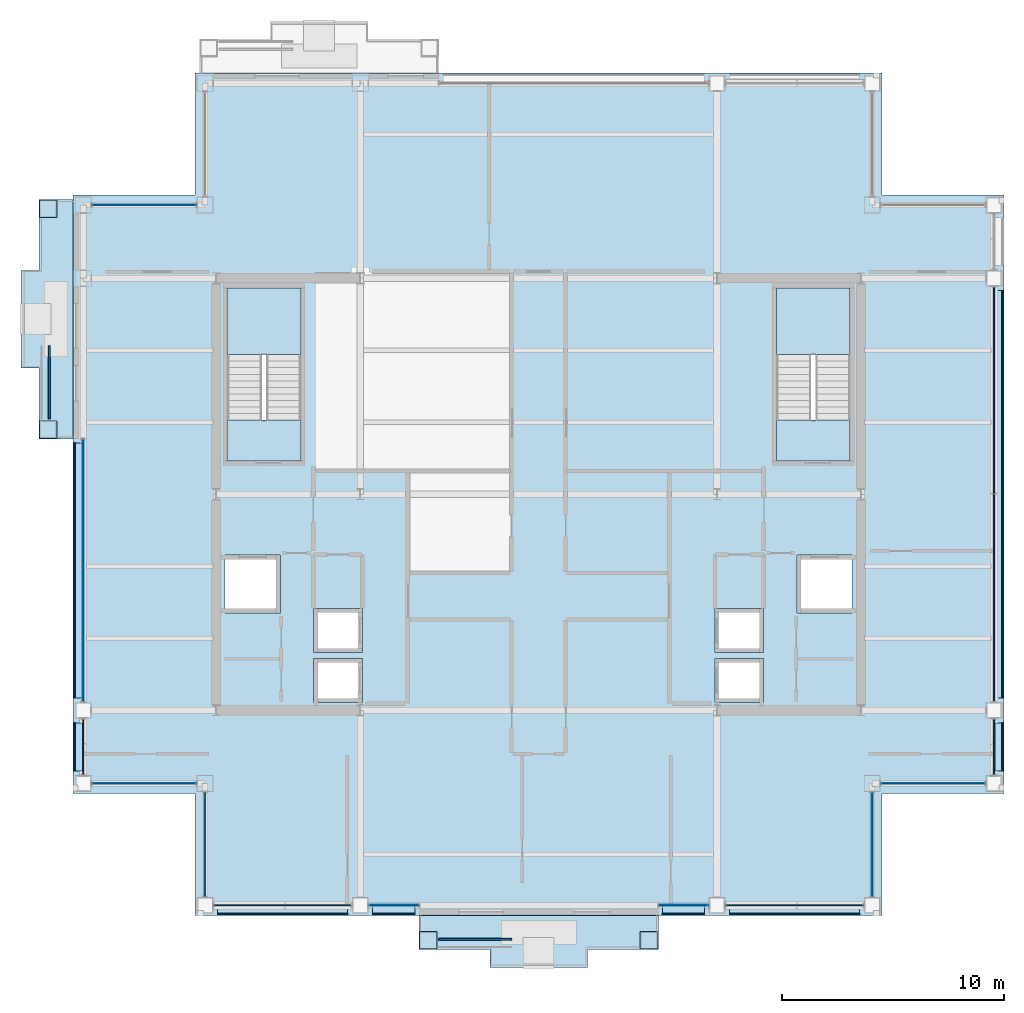
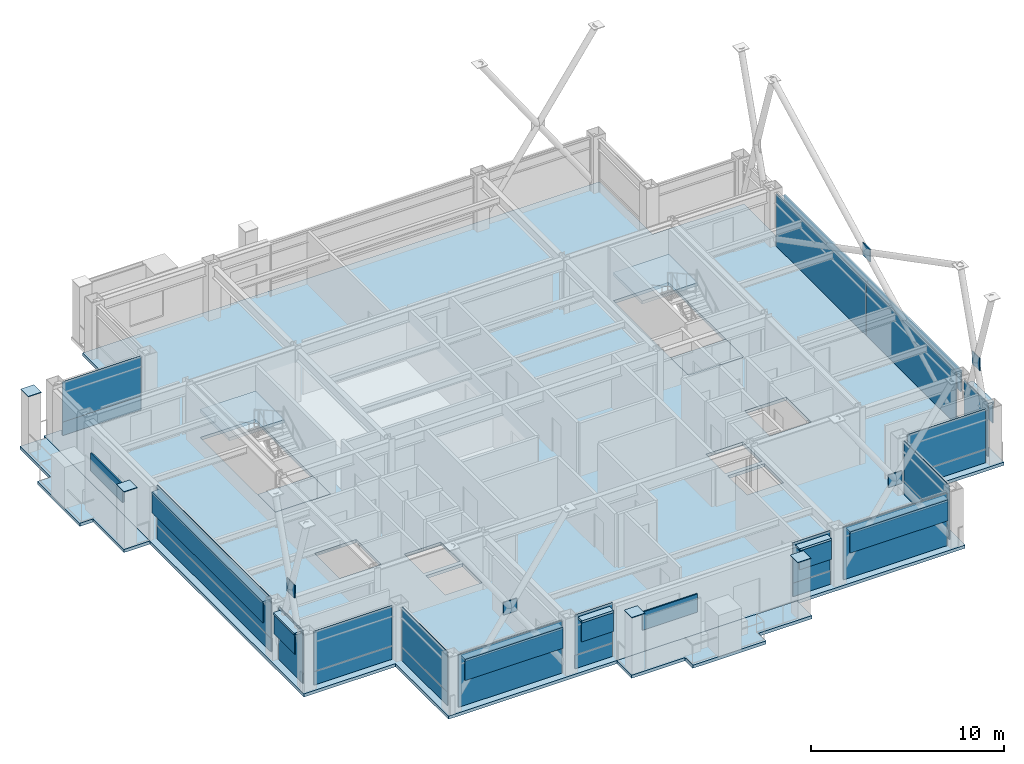
# One storey, part 25 of 32: 49 plates, 7 slabs, 15 elements without a shape of their own.
"""IFC4 building model written with IfcOpenShell, lengths in metres."""

from ifc_helpers import new_model, si_unit, direction, frame, origin, origin_2d, place, context, subcontext, project, spatial, polyline, rectangle, outline, extrude, material, layer, layer_set, type_object, element, aggregate, save


model = new_model("IFC4")

# Units and contexts
model_context = context("Model", 3, precision=1e-05, world=origin(), true_north=direction((0.0, 1.0)))
body_context = subcontext(model_context, "Body", "Model", "MODEL_VIEW")
ifc_project = project(units=[si_unit("LENGTHUNIT", "METRE"), si_unit("AREAUNIT", "SQUARE_METRE"), si_unit("VOLUMEUNIT", "CUBIC_METRE"), si_unit("PLANEANGLEUNIT", "RADIAN"), si_unit("MASSUNIT", "GRAM", prefix="KILO")], contexts=[model_context])

# Site, building, storey
site_placement = place(None, origin())
site = spatial("IfcSite", under=ifc_project, at=site_placement, CompositionType="ELEMENT")
building_placement = place(site_placement, origin())
building = spatial("IfcBuilding", under=site, at=building_placement, Name="Brelmoor Portico Tower", CompositionType="ELEMENT")
storey_placement = place(building_placement, frame((0.0, 0.0, 162.300048828125)))
storey = spatial("IfcBuildingStorey", under=building, at=storey_placement, Name="L42", CompositionType="ELEMENT", Elevation=162.300048828125)

# Plates
ifc_material_1 = material(Name="Steel Q355B", Category="steel")
ifc_layer_1 = layer(ifc_material_1, 0.044921875)
ifc_layer_set_1 = layer_set([ifc_layer_1], Name="Steel Q355B")
plate_type_1 = type_object("IfcPlateType", Name="PT-CAP-650", PredefinedType="SHEET", material=ifc_layer_set_1)
for number, where, z_axis, x_axis, name in (
    (1, (-4.97998046875, -20.1298828125, 3.599853515625), (0.0, 0.0, 1.0), (1.0, 0.0, 0.0), "L42 Proud Picture-Frame Pier PFJ-S1 Welded Head Cap Plate"),
    (2, (4.97998046875, -20.1298828125, 3.599853515625), (0.0, 0.0, 1.0), (1.0, 0.0, 0.0), "L42 Proud Picture-Frame Pier PFJ-S2 Welded Head Cap Plate"),
    (3, (-22.1298828125, 2.919921875, 3.599853515625), (0.0, 0.0, 1.0), (0.0, 1.0, 0.0), "L42 Proud Picture-Frame Pier PFJ-W1 Welded Head Cap Plate"),
    (4, (-22.1298828125, 12.8798828125, 3.599853515625), (0.0, 0.0, 1.0), (0.0, 1.0, 0.0), "L42 Proud Picture-Frame Pier PFJ-W2 Welded Head Cap Plate"),
):
    element("IfcPlate", number, at=place(storey_placement, frame(where, z_axis=z_axis, x_axis=x_axis)), inside=storey, type_object=plate_type_1, Name=name, PredefinedType="SHEET", context=body_context, shape_type="SweptSolid", body=[
        extrude(rectangle(XDim=0.7900390625, YDim=0.7900390625, at=origin_2d()), origin(), (0.0, 0.0, 1.0), 0.0400390625),
    ])

# Curtain wall, plate
ifc_material_2 = material(Name="Anodised Aluminium Alloy 6063-T6", Category="aluminium")
ifc_layer_2 = layer(ifc_material_2, 0.179931640625)
ifc_layer_set_2 = layer_set([ifc_layer_2], Name="Anodised Aluminium Alloy 6063-T6")
curtain_wall_type_1 = type_object("IfcCurtainWallType", Name="CW-TOWER-Z3", PredefinedType="NOTDEFINED", material=ifc_layer_set_2)
curtain_wall_1_placement = place(storey_placement, origin())
curtain_wall_1 = element("IfcCurtainWall", 5, at=curtain_wall_1_placement, inside=storey, type_object=curtain_wall_type_1, Name="L42 Curtain Wall CW-L42-1L-2", PredefinedType="NOTDEFINED")
ifc_material_3 = material(Name="Double-Silver Low-E Insulated Glazing", Category="glass")
ifc_layer_3 = layer(ifc_material_3, 0.035888671875)
ifc_layer_set_3 = layer_set([ifc_layer_3], Name="Double-Silver Low-E Insulated Glazing")
plate_type_2 = type_object("IfcPlateType", Name="PT-CW-GLASS", PredefinedType="CURTAIN_PANEL", material=ifc_layer_set_3)
plate_1_placement = place(storey_placement, frame((-6.532470703125, -18.550048828125, 0.85009765625), z_axis=(0.0, 0.0, 1.0), x_axis=(1.0, 0.0, 0.0)))
plate_1 = element("IfcPlate", 6, at=plate_1_placement, type_object=plate_type_2, Name="CW-L42-1L-2 Vision Glass Panel 00", PredefinedType="CURTAIN_PANEL", context=body_context, shape_type="SweptSolid", body=[
    extrude(rectangle(XDim=2.235107421875, YDim=0.035888671875, at=origin_2d()), origin(), (0.0, 0.0, 1.0), 2.550048828125),
])

curtain_wall_2_placement = place(storey_placement, origin())
curtain_wall_2 = element("IfcCurtainWall", 7, at=curtain_wall_2_placement, inside=storey, type_object=curtain_wall_type_1, Name="L42 Curtain Wall CW-L42-1R-1", PredefinedType="NOTDEFINED")
plate_2_placement = place(storey_placement, frame((6.532470703125, -18.550048828125, 0.85009765625), z_axis=(0.0, 0.0, 1.0), x_axis=(1.0, 0.0, 0.0)))
plate_2 = element("IfcPlate", 8, at=plate_2_placement, type_object=plate_type_2, Name="CW-L42-1R-1 Vision Glass Panel 00", PredefinedType="CURTAIN_PANEL", context=body_context, shape_type="SweptSolid", body=[
    extrude(rectangle(XDim=2.235107421875, YDim=0.035888671875, at=origin_2d()), origin(), (0.0, 0.0, 1.0), 2.550048828125),
])

curtain_wall_3_placement = place(storey_placement, origin())
curtain_wall_3 = element("IfcCurtainWall", 9, at=curtain_wall_3_placement, inside=storey, type_object=curtain_wall_type_1, Name="L42 Curtain Wall CW-L42-3L-2", PredefinedType="NOTDEFINED")
plate_3_placement = place(storey_placement, frame((-20.550048828125, -3.4326171875, 0.85009765625), z_axis=(0.0, 0.0, 1.0), x_axis=(0.0, 1.0, 0.0)))
plate_3 = element("IfcPlate", 10, at=plate_3_placement, type_object=plate_type_2, Name="CW-L42-3L-2 Vision Glass Panel 00", PredefinedType="CURTAIN_PANEL", context=body_context, shape_type="SweptSolid", body=[
    extrude(rectangle(XDim=11.8349609375, YDim=0.035888671875, at=origin_2d()), origin(), (0.0, 0.0, 1.0), 2.550048828125),
])

ifc_layer_4 = layer(ifc_material_2, 0.179931640625)
ifc_layer_set_4 = layer_set([ifc_layer_4], Name="Anodised Aluminium Alloy 6063-T6")
curtain_wall_type_2 = type_object("IfcCurtainWallType", Name="CW-NOTCH-CHAMFER", PredefinedType="NOTDEFINED", material=ifc_layer_set_4)
curtain_wall_4_placement = place(storey_placement, origin())
curtain_wall_4 = element("IfcCurtainWall", 11, at=curtain_wall_4_placement, inside=storey, type_object=curtain_wall_type_2, Name="L42 Curtain Wall CWN-L42-SWH", PredefinedType="NOTDEFINED")
plate_4_placement = place(storey_placement, frame((-17.800048828125, -13.050048828125, 0.85009765625), z_axis=(0.0, 0.0, 1.0), x_axis=(1.0, 0.0, 0.0)))
plate_4 = element("IfcPlate", 12, at=plate_4_placement, type_object=plate_type_2, Name="CWN-L42-SWH Vision Glass Panel 00", PredefinedType="CURTAIN_PANEL", context=body_context, shape_type="SweptSolid", body=[
    extrude(rectangle(XDim=4.699951171875, YDim=0.035888671875, at=origin_2d()), origin(), (0.0, 0.0, 1.0), 2.550048828125),
])

curtain_wall_5_placement = place(storey_placement, origin())
curtain_wall_5 = element("IfcCurtainWall", 13, at=curtain_wall_5_placement, inside=storey, type_object=curtain_wall_type_2, Name="L42 Curtain Wall CWN-L42-SWV", PredefinedType="NOTDEFINED")
plate_5_placement = place(storey_placement, frame((-15.050048828125, -15.800048828125, 0.85009765625), z_axis=(0.0, 0.0, 1.0), x_axis=(0.0, 1.0, 0.0)))
plate_5 = element("IfcPlate", 14, at=plate_5_placement, type_object=plate_type_2, Name="CWN-L42-SWV Vision Glass Panel 00", PredefinedType="CURTAIN_PANEL", context=body_context, shape_type="SweptSolid", body=[
    extrude(rectangle(XDim=4.699951171875, YDim=0.035888671875, at=origin_2d()), origin(), (0.0, 0.0, 1.0), 2.550048828125),
])

curtain_wall_6_placement = place(storey_placement, origin())
curtain_wall_6 = element("IfcCurtainWall", 15, at=curtain_wall_6_placement, inside=storey, type_object=curtain_wall_type_2, Name="L42 Curtain Wall CWN-L42-SEH", PredefinedType="NOTDEFINED")
plate_6_placement = place(storey_placement, frame((17.800048828125, -13.050048828125, 0.85009765625), z_axis=(0.0, 0.0, 1.0), x_axis=(1.0, 0.0, 0.0)))
plate_6 = element("IfcPlate", 16, at=plate_6_placement, type_object=plate_type_2, Name="CWN-L42-SEH Vision Glass Panel 00", PredefinedType="CURTAIN_PANEL", context=body_context, shape_type="SweptSolid", body=[
    extrude(rectangle(XDim=4.699951171875, YDim=0.035888671875, at=origin_2d()), origin(), (0.0, 0.0, 1.0), 2.550048828125),
])

curtain_wall_7_placement = place(storey_placement, origin())
curtain_wall_7 = element("IfcCurtainWall", 17, at=curtain_wall_7_placement, inside=storey, type_object=curtain_wall_type_2, Name="L42 Curtain Wall CWN-L42-SEV", PredefinedType="NOTDEFINED")
plate_7_placement = place(storey_placement, frame((15.050048828125, -15.800048828125, 0.85009765625), z_axis=(0.0, 0.0, 1.0), x_axis=(0.0, 1.0, 0.0)))
plate_7 = element("IfcPlate", 18, at=plate_7_placement, type_object=plate_type_2, Name="CWN-L42-SEV Vision Glass Panel 00", PredefinedType="CURTAIN_PANEL", context=body_context, shape_type="SweptSolid", body=[
    extrude(rectangle(XDim=4.699951171875, YDim=0.035888671875, at=origin_2d()), origin(), (0.0, 0.0, 1.0), 2.550048828125),
])

curtain_wall_8_placement = place(storey_placement, origin())
curtain_wall_8 = element("IfcCurtainWall", 19, at=curtain_wall_8_placement, inside=storey, type_object=curtain_wall_type_2, Name="L42 Curtain Wall CWN-L42-NWH", PredefinedType="NOTDEFINED")
plate_8_placement = place(storey_placement, frame((-17.800048828125, 13.050048828125, 0.85009765625), z_axis=(0.0, 0.0, 1.0), x_axis=(1.0, 0.0, 0.0)))
plate_8 = element("IfcPlate", 20, at=plate_8_placement, type_object=plate_type_2, Name="CWN-L42-NWH Vision Glass Panel 00", PredefinedType="CURTAIN_PANEL", context=body_context, shape_type="SweptSolid", body=[
    extrude(rectangle(XDim=4.699951171875, YDim=0.035888671875, at=origin_2d()), origin(), (0.0, 0.0, 1.0), 2.550048828125),
])

ifc_layer_5 = layer(ifc_material_2, 0.179931640625)
ifc_layer_set_5 = layer_set([ifc_layer_5], Name="Anodised Aluminium Alloy 6063-T6")
curtain_wall_type_3 = type_object("IfcCurtainWallType", Name="CW-TOWER-Z3-XB", PredefinedType="NOTDEFINED", material=ifc_layer_set_5)
curtain_wall_9_placement = place(storey_placement, origin())
curtain_wall_9 = element("IfcCurtainWall", 21, at=curtain_wall_9_placement, inside=storey, type_object=curtain_wall_type_3, Name="L42 Curtain Wall CW-L42-1L-1", PredefinedType="NOTDEFINED")
ifc_material_4 = material(Name="Pale Champagne Anodised Aluminium Panel", Category="aluminium")
ifc_layer_6 = layer(ifc_material_4, 0.050048828125)
ifc_layer_set_6 = layer_set([ifc_layer_6], Name="Pale Champagne Anodised Aluminium Panel")
plate_type_3 = type_object("IfcPlateType", Name="PT-CW-SPANDREL", PredefinedType="SHEET", material=ifc_layer_set_6)
plate_9_placement = place(storey_placement, frame((-11.550048828125, -18.550048828125, 0.0), z_axis=(0.0, 0.0, 1.0), x_axis=(1.0, 0.0, 0.0)))
plate_9 = element("IfcPlate", 22, at=plate_9_placement, type_object=plate_type_3, Name="CW-L42-1L-1 Spandrel Panel 00", PredefinedType="SHEET", context=body_context, shape_type="SweptSolid", body=[
    extrude(rectangle(XDim=6.199951171875, YDim=0.050048828125, at=origin_2d()), origin(), (0.0, 0.0, 1.0), 3.33740234375),
])
aggregate(curtain_wall_9, [plate_9])

# Plate
plate_10_placement = place(storey_placement, frame((-6.532470703125, -18.550048828125, 0.0), z_axis=(0.0, 0.0, 1.0), x_axis=(1.0, 0.0, 0.0)))
plate_10 = element("IfcPlate", 23, at=plate_10_placement, type_object=plate_type_3, Name="CW-L42-1L-2 Spandrel Panel 00", PredefinedType="SHEET", context=body_context, shape_type="SweptSolid", body=[
    extrude(rectangle(XDim=2.235107421875, YDim=0.050048828125, at=origin_2d()), origin(), (0.0, 0.0, 1.0), 0.85009765625),
])

aggregate(curtain_wall_1, [plate_10, plate_1])

plate_11_placement = place(storey_placement, frame((6.532470703125, -18.550048828125, 0.0), z_axis=(0.0, 0.0, 1.0), x_axis=(1.0, 0.0, 0.0)))
plate_11 = element("IfcPlate", 24, at=plate_11_placement, type_object=plate_type_3, Name="CW-L42-1R-1 Spandrel Panel 00", PredefinedType="SHEET", context=body_context, shape_type="SweptSolid", body=[
    extrude(rectangle(XDim=2.235107421875, YDim=0.050048828125, at=origin_2d()), origin(), (0.0, 0.0, 1.0), 0.85009765625),
])

aggregate(curtain_wall_2, [plate_11, plate_2])

# Curtain wall, plate
curtain_wall_10_placement = place(storey_placement, origin())
curtain_wall_10 = element("IfcCurtainWall", 25, at=curtain_wall_10_placement, inside=storey, type_object=curtain_wall_type_3, Name="L42 Curtain Wall CW-L42-1R-2", PredefinedType="NOTDEFINED")
plate_12_placement = place(storey_placement, frame((11.550048828125, -18.550048828125, 0.0), z_axis=(0.0, 0.0, 1.0), x_axis=(1.0, 0.0, 0.0)))
plate_12 = element("IfcPlate", 26, at=plate_12_placement, type_object=plate_type_3, Name="CW-L42-1R-2 Spandrel Panel 00", PredefinedType="SHEET", context=body_context, shape_type="SweptSolid", body=[
    extrude(rectangle(XDim=6.199951171875, YDim=0.050048828125, at=origin_2d()), origin(), (0.0, 0.0, 1.0), 3.33740234375),
])
aggregate(curtain_wall_10, [plate_12])

curtain_wall_11_placement = place(storey_placement, origin())
curtain_wall_11 = element("IfcCurtainWall", 27, at=curtain_wall_11_placement, inside=storey, type_object=curtain_wall_type_3, Name="L42 Curtain Wall CW-L42-3L-1", PredefinedType="NOTDEFINED")
plate_13_placement = place(storey_placement, frame((-20.550048828125, -11.39990234375, 0.0), z_axis=(0.0, 0.0, 1.0), x_axis=(0.0, 1.0, 0.0)))
plate_13 = element("IfcPlate", 28, at=plate_13_placement, type_object=plate_type_3, Name="CW-L42-3L-1 Spandrel Panel 00", PredefinedType="SHEET", context=body_context, shape_type="SweptSolid", body=[
    extrude(rectangle(XDim=2.5, YDim=0.050048828125, at=origin_2d()), origin(), (0.0, 0.0, 1.0), 3.33740234375),
])
aggregate(curtain_wall_11, [plate_13])

# Plate
plate_14_placement = place(storey_placement, frame((-20.550048828125, -3.4326171875, 0.0), z_axis=(0.0, 0.0, 1.0), x_axis=(0.0, 1.0, 0.0)))
plate_14 = element("IfcPlate", 29, at=plate_14_placement, type_object=plate_type_3, Name="CW-L42-3L-2 Spandrel Panel 00", PredefinedType="SHEET", context=body_context, shape_type="SweptSolid", body=[
    extrude(rectangle(XDim=11.8349609375, YDim=0.050048828125, at=origin_2d()), origin(), (0.0, 0.0, 1.0), 0.85009765625),
])

aggregate(curtain_wall_3, [plate_14, plate_3])

# Curtain wall, plate
curtain_wall_12_placement = place(storey_placement, origin())
curtain_wall_12 = element("IfcCurtainWall", 30, at=curtain_wall_12_placement, inside=storey, type_object=curtain_wall_type_3, Name="L42 Curtain Wall CW-L42-04-1", PredefinedType="NOTDEFINED")
plate_15_placement = place(storey_placement, frame((20.550048828125, -11.39990234375, 0.0), z_axis=(0.0, 0.0, 1.0), x_axis=(0.0, 1.0, 0.0)))
plate_15 = element("IfcPlate", 31, at=plate_15_placement, type_object=plate_type_3, Name="CW-L42-04-1 Spandrel Panel 00", PredefinedType="SHEET", context=body_context, shape_type="SweptSolid", body=[
    extrude(rectangle(XDim=2.5, YDim=0.050048828125, at=origin_2d()), origin(), (0.0, 0.0, 1.0), 3.33740234375),
])
aggregate(curtain_wall_12, [plate_15])

# Curtain wall, plates
curtain_wall_13_placement = place(storey_placement, origin())
curtain_wall_13 = element("IfcCurtainWall", 32, at=curtain_wall_13_placement, inside=storey, type_object=curtain_wall_type_3, Name="L42 Curtain Wall CW-L42-04-2", PredefinedType="NOTDEFINED")
plate_16_placement = place(storey_placement, frame((20.550048828125, -4.6826171875, 0.0), z_axis=(0.0, 0.0, 1.0), x_axis=(0.0, 1.0, 0.0)))
plate_16 = element("IfcPlate", 33, at=plate_16_placement, type_object=plate_type_3, Name="CW-L42-04-2 Spandrel Panel 00", PredefinedType="SHEET", context=body_context, shape_type="SweptSolid", body=[
    extrude(rectangle(XDim=9.3349609375, YDim=0.050048828125, at=origin_2d()), origin(), (0.0, 0.0, 1.0), 3.33740234375),
])
plate_17_placement = place(storey_placement, frame((20.550048828125, 4.6826171875, 0.0), z_axis=(0.0, 0.0, 1.0), x_axis=(0.0, 1.0, 0.0)))
plate_17 = element("IfcPlate", 34, at=plate_17_placement, type_object=plate_type_3, Name="CW-L42-04-2 Spandrel Panel 01", PredefinedType="SHEET", context=body_context, shape_type="SweptSolid", body=[
    extrude(rectangle(XDim=9.3349609375, YDim=0.050048828125, at=origin_2d()), origin(), (0.0, 0.0, 1.0), 3.33740234375),
])
aggregate(curtain_wall_13, [plate_16, plate_17])

# Plate
plate_18_placement = place(storey_placement, frame((-17.800048828125, -13.050048828125, 0.0), z_axis=(0.0, 0.0, 1.0), x_axis=(1.0, 0.0, 0.0)))
plate_18 = element("IfcPlate", 35, at=plate_18_placement, type_object=plate_type_3, Name="CWN-L42-SWH Spandrel Panel 00", PredefinedType="SHEET", context=body_context, shape_type="SweptSolid", body=[
    extrude(rectangle(XDim=4.699951171875, YDim=0.050048828125, at=origin_2d()), origin(), (0.0, 0.0, 1.0), 0.85009765625),
])

aggregate(curtain_wall_4, [plate_18, plate_4])

plate_19_placement = place(storey_placement, frame((-15.050048828125, -15.800048828125, 0.0), z_axis=(0.0, 0.0, 1.0), x_axis=(0.0, 1.0, 0.0)))
plate_19 = element("IfcPlate", 36, at=plate_19_placement, type_object=plate_type_3, Name="CWN-L42-SWV Spandrel Panel 00", PredefinedType="SHEET", context=body_context, shape_type="SweptSolid", body=[
    extrude(rectangle(XDim=4.699951171875, YDim=0.050048828125, at=origin_2d()), origin(), (0.0, 0.0, 1.0), 0.85009765625),
])

aggregate(curtain_wall_5, [plate_19, plate_5])

plate_20_placement = place(storey_placement, frame((17.800048828125, -13.050048828125, 0.0), z_axis=(0.0, 0.0, 1.0), x_axis=(1.0, 0.0, 0.0)))
plate_20 = element("IfcPlate", 37, at=plate_20_placement, type_object=plate_type_3, Name="CWN-L42-SEH Spandrel Panel 00", PredefinedType="SHEET", context=body_context, shape_type="SweptSolid", body=[
    extrude(rectangle(XDim=4.699951171875, YDim=0.050048828125, at=origin_2d()), origin(), (0.0, 0.0, 1.0), 0.85009765625),
])

aggregate(curtain_wall_6, [plate_20, plate_6])

plate_21_placement = place(storey_placement, frame((15.050048828125, -15.800048828125, 0.0), z_axis=(0.0, 0.0, 1.0), x_axis=(0.0, 1.0, 0.0)))
plate_21 = element("IfcPlate", 38, at=plate_21_placement, type_object=plate_type_3, Name="CWN-L42-SEV Spandrel Panel 00", PredefinedType="SHEET", context=body_context, shape_type="SweptSolid", body=[
    extrude(rectangle(XDim=4.699951171875, YDim=0.050048828125, at=origin_2d()), origin(), (0.0, 0.0, 1.0), 0.85009765625),
])

aggregate(curtain_wall_7, [plate_21, plate_7])

plate_22_placement = place(storey_placement, frame((-17.800048828125, 13.050048828125, 0.0), z_axis=(0.0, 0.0, 1.0), x_axis=(1.0, 0.0, 0.0)))
plate_22 = element("IfcPlate", 39, at=plate_22_placement, type_object=plate_type_3, Name="CWN-L42-NWH Spandrel Panel 00", PredefinedType="SHEET", context=body_context, shape_type="SweptSolid", body=[
    extrude(rectangle(XDim=4.699951171875, YDim=0.050048828125, at=origin_2d()), origin(), (0.0, 0.0, 1.0), 0.85009765625),
])

aggregate(curtain_wall_8, [plate_22, plate_8])

# Plates
ifc_layer_7 = layer(ifc_material_1, 0.050048828125)
ifc_layer_set_7 = layer_set([ifc_layer_7], Name="Steel Q355B")
plate_type_4 = type_object("IfcPlateType", Name="PT-GUSSET-800", PredefinedType="USERDEFINED", material=ifc_layer_set_7)
for number, where, z_axis, x_axis, name in (
    (40, (-11.550048828125, -18.550048828125, 4.89990234375), (0.0, 0.0, 1.0), (1.0, 0.0, 0.0), "L42 Perimeter Mega-Brace Gusset 091"),
    (41, (11.550048828125, -18.550048828125, 4.89990234375), (0.0, 0.0, 1.0), (1.0, 0.0, 0.0), "L42 Perimeter Mega-Brace Gusset 092"),
):
    element("IfcPlate", number, at=place(storey_placement, frame(where, z_axis=z_axis, x_axis=x_axis)), inside=storey, type_object=plate_type_4, Name=name, ObjectType="GUSSET PLATE", PredefinedType="USERDEFINED", context=body_context, shape_type="SweptSolid", body=[
        extrude(rectangle(XDim=0.800048828125, YDim=0.050048828125, at=origin_2d()), origin(), (0.0, 0.0, 1.0), 0.800048828125),
    ])
for number, where, z_axis, x_axis, name in (
    (42, (-20.550048828125, -11.39990234375, 4.89990234375), (0.0, 0.0, 1.0), (1.0, 0.0, 0.0), "L42 Perimeter Mega-Brace Gusset 094"),
    (43, (20.550048828125, -11.39990234375, 4.89990234375), (0.0, 0.0, 1.0), (1.0, 0.0, 0.0), "L42 Perimeter Mega-Brace Gusset 095"),
    (44, (20.550048828125, 0.0, 4.89990234375), (0.0, 0.0, 1.0), (1.0, 0.0, 0.0), "L42 Perimeter Mega-Brace Gusset 096"),
):
    element("IfcPlate", number, at=place(storey_placement, frame(where, z_axis=z_axis, x_axis=x_axis)), inside=storey, type_object=plate_type_4, Name=name, ObjectType="GUSSET PLATE", PredefinedType="USERDEFINED", context=body_context, shape_type="SweptSolid", body=[
        extrude(rectangle(XDim=0.050048828125, YDim=0.800048828125, at=origin_2d()), origin(), (0.0, 0.0, 1.0), 0.800048828125),
    ])
ifc_material_5 = material(Name="Powder-Coated Aluminium Shuttered Jalousie Louvre", Category="aluminium")
ifc_layer_8 = layer(ifc_material_5, 0.06005859375)
ifc_layer_set_8 = layer_set([ifc_layer_8], Name="Powder-Coated Aluminium Shuttered Jalousie Louvre")
plate_type_5 = type_object("IfcPlateType", Name="PT-JALOUSIE-SHUTTER", PredefinedType="SHEET", material=ifc_layer_set_8)
plate_23_placement = place(storey_placement, frame((-11.550048828125, -18.929931640625, 1.8740234375), z_axis=(0.0, 0.0, 1.0), x_axis=(1.0, 0.0, 0.0)))
element("IfcPlate", 45, at=plate_23_placement, inside=storey, type_object=plate_type_5, Name="CW-L42-1L-1 Perforated Jalousie Solar Screen", PredefinedType="SHEET", context=body_context, shape_type="SweptSolid", body=[
    extrude(rectangle(XDim=5.8701171875, YDim=0.06494140625, at=origin_2d()), origin(), (0.0, 0.0, 1.0), 1.325927734375),
])
for number, where, z_axis, x_axis, name in (
    (46, (-6.532470703125, -18.929931640625, 1.8740234375), (0.0, 0.0, 1.0), (1.0, 0.0, 0.0), "CW-L42-1L-2 Perforated Jalousie Solar Screen"),
    (47, (6.532470703125, -18.929931640625, 1.8740234375), (0.0, 0.0, 1.0), (1.0, 0.0, 0.0), "CW-L42-1R-1 Perforated Jalousie Solar Screen"),
):
    element("IfcPlate", number, at=place(storey_placement, frame(where, z_axis=z_axis, x_axis=x_axis)), inside=storey, type_object=plate_type_5, Name=name, PredefinedType="SHEET", context=body_context, shape_type="SweptSolid", body=[
        extrude(rectangle(XDim=1.905029296875, YDim=0.06494140625, at=origin_2d()), origin(), (0.0, 0.0, 1.0), 1.325927734375),
    ])
plate_24_placement = place(storey_placement, frame((11.550048828125, -18.929931640625, 1.8740234375), z_axis=(0.0, 0.0, 1.0), x_axis=(1.0, 0.0, 0.0)))
element("IfcPlate", 48, at=plate_24_placement, inside=storey, type_object=plate_type_5, Name="CW-L42-1R-2 Perforated Jalousie Solar Screen", PredefinedType="SHEET", context=body_context, shape_type="SweptSolid", body=[
    extrude(rectangle(XDim=5.8701171875, YDim=0.06494140625, at=origin_2d()), origin(), (0.0, 0.0, 1.0), 1.325927734375),
])
plate_25_placement = place(storey_placement, frame((-2.85009765625, -20.080078125, 2.27490234375), z_axis=(0.0, 0.0, 1.0), x_axis=(1.0, 0.0, 0.0)))
element("IfcPlate", 49, at=plate_25_placement, inside=storey, type_object=plate_type_5, Name="L42 Shuttered Veranda Screen S", PredefinedType="SHEET", context=body_context, shape_type="SweptSolid", body=[
    extrude(rectangle(XDim=3.300048828125, YDim=0.080078125, at=origin_2d()), origin(), (0.0, 0.0, 1.0), 1.14990234375),
])
plate_26_placement = place(storey_placement, frame((-20.929931640625, -11.39990234375, 1.8740234375), z_axis=(0.0, 0.0, 1.0), x_axis=(0.0, 1.0, 0.0)))
element("IfcPlate", 50, at=plate_26_placement, inside=storey, type_object=plate_type_5, Name="CW-L42-3L-1 Perforated Jalousie Solar Screen", PredefinedType="SHEET", context=body_context, shape_type="SweptSolid", body=[
    extrude(rectangle(XDim=2.169921875, YDim=0.06494140625, at=origin_2d()), origin(), (0.0, 0.0, 1.0), 1.325927734375),
])
plate_27_placement = place(storey_placement, frame((-20.929931640625, -3.4326171875, 1.8740234375), z_axis=(0.0, 0.0, 1.0), x_axis=(0.0, 1.0, 0.0)))
element("IfcPlate", 51, at=plate_27_placement, inside=storey, type_object=plate_type_5, Name="CW-L42-3L-2 Perforated Jalousie Solar Screen", PredefinedType="SHEET", context=body_context, shape_type="SweptSolid", body=[
    extrude(rectangle(XDim=11.5048828125, YDim=0.06494140625, at=origin_2d()), origin(), (0.0, 0.0, 1.0), 1.325927734375),
])
plate_28_placement = place(storey_placement, frame((-22.080078125, 5.050048828125, 2.27490234375), z_axis=(0.0, 0.0, 1.0), x_axis=(0.0, 1.0, 0.0)))
element("IfcPlate", 52, at=plate_28_placement, inside=storey, type_object=plate_type_5, Name="L42 Shuttered Veranda Screen W", PredefinedType="SHEET", context=body_context, shape_type="SweptSolid", body=[
    extrude(rectangle(XDim=3.300048828125, YDim=0.080078125, at=origin_2d()), origin(), (0.0, 0.0, 1.0), 1.14990234375),
])
plate_29_placement = place(storey_placement, frame((20.929931640625, -11.39990234375, 1.8740234375), z_axis=(0.0, 0.0, 1.0), x_axis=(0.0, 1.0, 0.0)))
element("IfcPlate", 53, at=plate_29_placement, inside=storey, type_object=plate_type_5, Name="CW-L42-04-1 Perforated Jalousie Solar Screen", PredefinedType="SHEET", context=body_context, shape_type="SweptSolid", body=[
    extrude(rectangle(XDim=2.169921875, YDim=0.06494140625, at=origin_2d()), origin(), (0.0, 0.0, 1.0), 1.325927734375),
])
plate_30_placement = place(storey_placement, frame((20.929931640625, 0.0, 1.8740234375), z_axis=(0.0, 0.0, 1.0), x_axis=(0.0, 1.0, 0.0)))
element("IfcPlate", 54, at=plate_30_placement, inside=storey, type_object=plate_type_5, Name="CW-L42-04-2 Perforated Jalousie Solar Screen", PredefinedType="SHEET", context=body_context, shape_type="SweptSolid", body=[
    extrude(rectangle(XDim=18.3701171875, YDim=0.06494140625, at=origin_2d()), origin(), (0.0, 0.0, 1.0), 1.325927734375),
])
ifc_material_6 = material(Name="Pale Champagne Perforated Aluminium Solar Screen", Category="aluminium")
ifc_layer_9 = layer(ifc_material_6, 0.054931640625)
ifc_layer_set_9 = layer_set([ifc_layer_9], Name="Pale Champagne Perforated Aluminium Solar Screen")
plate_type_6 = type_object("IfcPlateType", Name="PT-SOLAR-LOUVRE", PredefinedType="SHEET", material=ifc_layer_set_9)
plate_31_placement = place(storey_placement, frame((-11.550048828125, -18.760009765625, 3.08984375), z_axis=(0.0, 0.0, 1.0), x_axis=(1.0, 0.0, 0.0)))
element("IfcPlate", 55, at=plate_31_placement, inside=storey, type_object=plate_type_6, Name="CW-L42-1L-1 Caribbean Brise-Soleil Solar Screen", PredefinedType="SHEET", context=body_context, shape_type="SweptSolid", body=[
    extrude(rectangle(XDim=5.8701171875, YDim=0.4599609375, at=origin_2d()), origin(), (0.0, 0.0, 1.0), 0.139892578125),
])
for number, where, z_axis, x_axis, name in (
    (56, (-6.532470703125, -18.760009765625, 3.08984375), (0.0, 0.0, 1.0), (1.0, 0.0, 0.0), "CW-L42-1L-2 Caribbean Brise-Soleil Solar Screen"),
    (57, (6.532470703125, -18.760009765625, 3.08984375), (0.0, 0.0, 1.0), (1.0, 0.0, 0.0), "CW-L42-1R-1 Caribbean Brise-Soleil Solar Screen"),
):
    element("IfcPlate", number, at=place(storey_placement, frame(where, z_axis=z_axis, x_axis=x_axis)), inside=storey, type_object=plate_type_6, Name=name, PredefinedType="SHEET", context=body_context, shape_type="SweptSolid", body=[
        extrude(rectangle(XDim=1.905029296875, YDim=0.4599609375, at=origin_2d()), origin(), (0.0, 0.0, 1.0), 0.139892578125),
    ])
plate_32_placement = place(storey_placement, frame((11.550048828125, -18.760009765625, 3.08984375), z_axis=(0.0, 0.0, 1.0), x_axis=(1.0, 0.0, 0.0)))
element("IfcPlate", 58, at=plate_32_placement, inside=storey, type_object=plate_type_6, Name="CW-L42-1R-2 Caribbean Brise-Soleil Solar Screen", PredefinedType="SHEET", context=body_context, shape_type="SweptSolid", body=[
    extrude(rectangle(XDim=5.8701171875, YDim=0.4599609375, at=origin_2d()), origin(), (0.0, 0.0, 1.0), 0.139892578125),
])
plate_33_placement = place(storey_placement, frame((-20.760009765625, -11.39990234375, 3.08984375), z_axis=(0.0, 0.0, 1.0), x_axis=(0.0, 1.0, 0.0)))
element("IfcPlate", 59, at=plate_33_placement, inside=storey, type_object=plate_type_6, Name="CW-L42-3L-1 Caribbean Brise-Soleil Solar Screen", PredefinedType="SHEET", context=body_context, shape_type="SweptSolid", body=[
    extrude(rectangle(XDim=2.169921875, YDim=0.4599609375, at=origin_2d()), origin(), (0.0, 0.0, 1.0), 0.139892578125),
])
plate_34_placement = place(storey_placement, frame((-20.760009765625, -3.4326171875, 3.08984375), z_axis=(0.0, 0.0, 1.0), x_axis=(0.0, 1.0, 0.0)))
element("IfcPlate", 60, at=plate_34_placement, inside=storey, type_object=plate_type_6, Name="CW-L42-3L-2 Caribbean Brise-Soleil Solar Screen", PredefinedType="SHEET", context=body_context, shape_type="SweptSolid", body=[
    extrude(rectangle(XDim=11.5048828125, YDim=0.4599609375, at=origin_2d()), origin(), (0.0, 0.0, 1.0), 0.139892578125),
])
plate_35_placement = place(storey_placement, frame((20.760009765625, -11.39990234375, 3.08984375), z_axis=(0.0, 0.0, 1.0), x_axis=(0.0, 1.0, 0.0)))
element("IfcPlate", 61, at=plate_35_placement, inside=storey, type_object=plate_type_6, Name="CW-L42-04-1 Caribbean Brise-Soleil Solar Screen", PredefinedType="SHEET", context=body_context, shape_type="SweptSolid", body=[
    extrude(rectangle(XDim=2.169921875, YDim=0.4599609375, at=origin_2d()), origin(), (0.0, 0.0, 1.0), 0.139892578125),
])
plate_36_placement = place(storey_placement, frame((20.760009765625, 0.0, 3.08984375), z_axis=(0.0, 0.0, 1.0), x_axis=(0.0, 1.0, 0.0)))
element("IfcPlate", 62, at=plate_36_placement, inside=storey, type_object=plate_type_6, Name="CW-L42-04-2 Caribbean Brise-Soleil Solar Screen", PredefinedType="SHEET", context=body_context, shape_type="SweptSolid", body=[
    extrude(rectangle(XDim=18.3701171875, YDim=0.4599609375, at=origin_2d()), origin(), (0.0, 0.0, 1.0), 0.139892578125),
])

# Slabs
ifc_material_7 = material(Name="Concrete C40", Category="concrete")
ifc_layer_10 = layer(ifc_material_7, 0.199951171875)
ifc_layer_set_10 = layer_set([ifc_layer_10], Name="Concrete C40")
slab_type_1 = type_object("IfcSlabType", Name="SL-BALCONY-200", PredefinedType="FLOOR", material=ifc_layer_set_10)
slab_1_placement = place(storey_placement, frame((0.0, 0.0, -0.199951171875)))
element("IfcSlab", 63, at=slab_1_placement, inside=storey, type_object=slab_type_1, Name="L42 Loggia Tree Balcony Slab S", PredefinedType="FLOOR", context=body_context, shape_type="SweptSolid", body=[
    extrude(outline(polyline([(-5.39990234375, -20.550048828125), (-2.199951171875, -20.550048828125), (-2.199951171875, -21.35009765625), (2.199951171875, -21.35009765625), (2.199951171875, -20.550048828125), (5.39990234375, -20.550048828125), (5.39990234375, -19.0), (-5.39990234375, -19.0), (-5.39990234375, -20.550048828125)])), origin(), (0.0, 0.0, 1.0), 0.199951171875),
])
slab_2_placement = place(storey_placement, frame((0.0, 0.0, -0.199951171875)))
element("IfcSlab", 64, at=slab_2_placement, inside=storey, type_object=slab_type_1, Name="L42 Loggia Tree Balcony Slab W", PredefinedType="FLOOR", context=body_context, shape_type="SweptSolid", body=[
    extrude(outline(polyline([(-22.550048828125, 2.5), (-21.0, 2.5), (-21.0, 13.300048828125), (-22.550048828125, 13.300048828125), (-22.550048828125, 10.10009765625), (-23.35009765625, 10.10009765625), (-23.35009765625, 5.699951171875), (-22.550048828125, 5.699951171875), (-22.550048828125, 2.5)])), origin(), (0.0, 0.0, 1.0), 0.199951171875),
])
ifc_layer_11 = layer(ifc_material_7, 0.199951171875)
ifc_layer_set_11 = layer_set([ifc_layer_11], Name="Concrete C40")
slab_type_2 = type_object("IfcSlabType", Name="SL-FLOOR-200", PredefinedType="FLOOR", material=ifc_layer_set_11)
slab_3_placement = place(storey_placement, frame((0.0, 0.0, -0.199951171875)))
element("IfcSlab", 65, at=slab_3_placement, inside=storey, type_object=slab_type_2, Name="L42 Main Structural Floor Slab", PredefinedType="FLOOR", context=body_context, shape_type="SweptSolid", body=[
    extrude(outline(polyline([(-15.5, -19.0), (15.5, -19.0), (15.5, -13.5), (21.0, -13.5), (21.0, 13.5), (15.5, 13.5), (15.5, 19.0), (-15.5, 19.0), (-15.5, 13.5), (-21.0, 13.5), (-21.0, -13.5), (-15.5, -13.5), (-15.5, -19.0)]), holes=[polyline([(-10.72998046875, 1.5), (-10.72998046875, 9.300048828125), (-14.050048828125, 9.300048828125), (-14.050048828125, 1.5), (-10.72998046875, 1.5)]), polyline([(14.050048828125, 1.5), (14.050048828125, 9.300048828125), (10.72998046875, 9.300048828125), (10.72998046875, 1.5), (14.050048828125, 1.5)]), polyline([(-10.14990234375, -9.39990234375), (-7.949951171875, -9.39990234375), (-7.949951171875, -7.39990234375), (-10.14990234375, -7.39990234375), (-10.14990234375, -9.39990234375)]), polyline([(-10.14990234375, -7.14990234375), (-7.949951171875, -7.14990234375), (-7.949951171875, -5.14990234375), (-10.14990234375, -5.14990234375), (-10.14990234375, -7.14990234375)]), polyline([(7.949951171875, -9.39990234375), (10.14990234375, -9.39990234375), (10.14990234375, -7.39990234375), (7.949951171875, -7.39990234375), (7.949951171875, -9.39990234375)]), polyline([(7.949951171875, -7.14990234375), (10.14990234375, -7.14990234375), (10.14990234375, -5.14990234375), (7.949951171875, -5.14990234375), (7.949951171875, -7.14990234375)]), polyline([(-14.14990234375, -5.35009765625), (-11.64990234375, -5.35009765625), (-11.64990234375, -2.75), (-14.14990234375, -2.75), (-14.14990234375, -5.35009765625)]), polyline([(11.64990234375, -5.35009765625), (14.14990234375, -5.35009765625), (14.14990234375, -2.75), (11.64990234375, -2.75), (11.64990234375, -5.35009765625)])]), origin(), (0.0, 0.0, 1.0), 0.199951171875),
])

# Stair, slab
stair_type_1 = type_object("IfcStairType", Name="ST-CORE-W", PredefinedType="HALF_TURN_STAIR", material=ifc_material_7)
stair_1_placement = place(storey_placement, origin())
stair_1 = element("IfcStair", 66, at=stair_1_placement, inside=storey, type_object=stair_type_1, Name="L42 Protected Core Exit Stair ST-W", PredefinedType="HALF_TURN_STAIR")
ifc_layer_12 = layer(ifc_material_7, 0.179931640625)
ifc_layer_set_12 = layer_set([ifc_layer_12], Name="Concrete C40")
slab_type_3 = type_object("IfcSlabType", Name="SL-LANDING-180", PredefinedType="LANDING", material=ifc_layer_set_12)
slab_4_placement = place(storey_placement, frame((0.0, 0.0, 1.599853515625)))
slab_4 = element("IfcSlab", 67, at=slab_4_placement, type_object=slab_type_3, Name="ST-W landing 1", PredefinedType="LANDING", context=body_context, shape_type="SweptSolid", body=[
    extrude(outline(polyline([(-10.72998046875, 6.300048828125), (-10.72998046875, 9.300048828125), (-14.050048828125, 9.300048828125), (-14.050048828125, 6.300048828125), (-10.72998046875, 6.300048828125)])), origin(), (0.0, 0.0, 1.0), 0.2001953125),
])
aggregate(stair_1, [slab_4])

stair_type_2 = type_object("IfcStairType", Name="ST-CORE-E", PredefinedType="HALF_TURN_STAIR", material=ifc_material_7)
stair_2_placement = place(storey_placement, origin())
stair_2 = element("IfcStair", 68, at=stair_2_placement, inside=storey, type_object=stair_type_2, Name="L42 Protected Core Exit Stair ST-E", PredefinedType="HALF_TURN_STAIR")
slab_5_placement = place(storey_placement, frame((0.0, 0.0, 1.599853515625)))
slab_5 = element("IfcSlab", 69, at=slab_5_placement, type_object=slab_type_3, Name="ST-E landing 1", PredefinedType="LANDING", context=body_context, shape_type="SweptSolid", body=[
    extrude(outline(polyline([(14.050048828125, 6.300048828125), (14.050048828125, 9.300048828125), (10.72998046875, 9.300048828125), (10.72998046875, 6.300048828125), (14.050048828125, 6.300048828125)])), origin(), (0.0, 0.0, 1.0), 0.2001953125),
])
aggregate(stair_2, [slab_5])

# Slabs
ifc_layer_13 = layer(ifc_material_7, 0.199951171875)
ifc_layer_set_13 = layer_set([ifc_layer_13], Name="Concrete C40")
slab_type_4 = type_object("IfcSlabType", Name="SL-STAIR-FL200", PredefinedType="LANDING", material=ifc_layer_set_13)
slab_6_placement = place(storey_placement, frame((0.0, 0.0, -0.199951171875)))
element("IfcSlab", 70, at=slab_6_placement, inside=storey, type_object=slab_type_4, Name="L42 ST-W Structural Floor Landing Slab", PredefinedType="LANDING", context=body_context, shape_type="SweptSolid", body=[
    extrude(outline(polyline([(-10.72998046875, 1.5), (-10.72998046875, 3.35009765625), (-14.050048828125, 3.35009765625), (-14.050048828125, 1.5), (-10.72998046875, 1.5)])), origin(), (0.0, 0.0, 1.0), 0.199951171875),
])
slab_7_placement = place(storey_placement, frame((0.0, 0.0, -0.199951171875)))
element("IfcSlab", 71, at=slab_7_placement, inside=storey, type_object=slab_type_4, Name="L42 ST-E Structural Floor Landing Slab", PredefinedType="LANDING", context=body_context, shape_type="SweptSolid", body=[
    extrude(outline(polyline([(14.050048828125, 1.5), (14.050048828125, 3.35009765625), (10.72998046875, 3.35009765625), (10.72998046875, 1.5), (14.050048828125, 1.5)])), origin(), (0.0, 0.0, 1.0), 0.199951171875),
])

save(model, "model.ifc")
